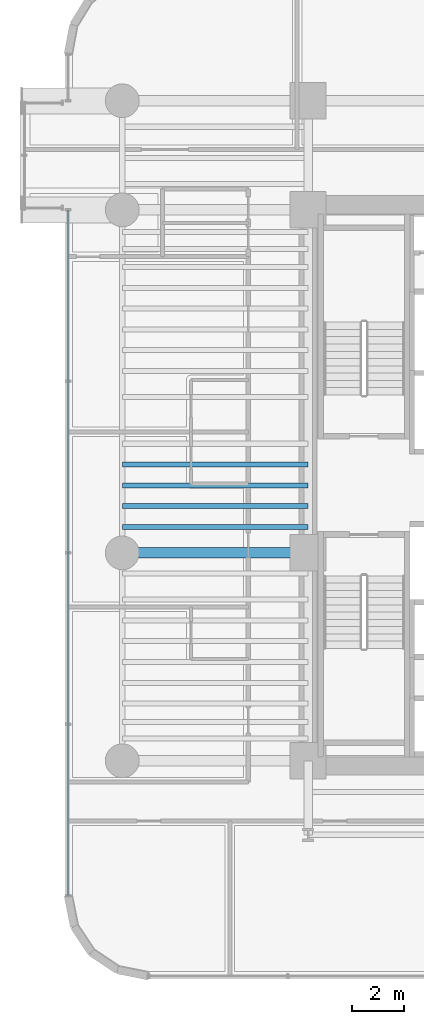
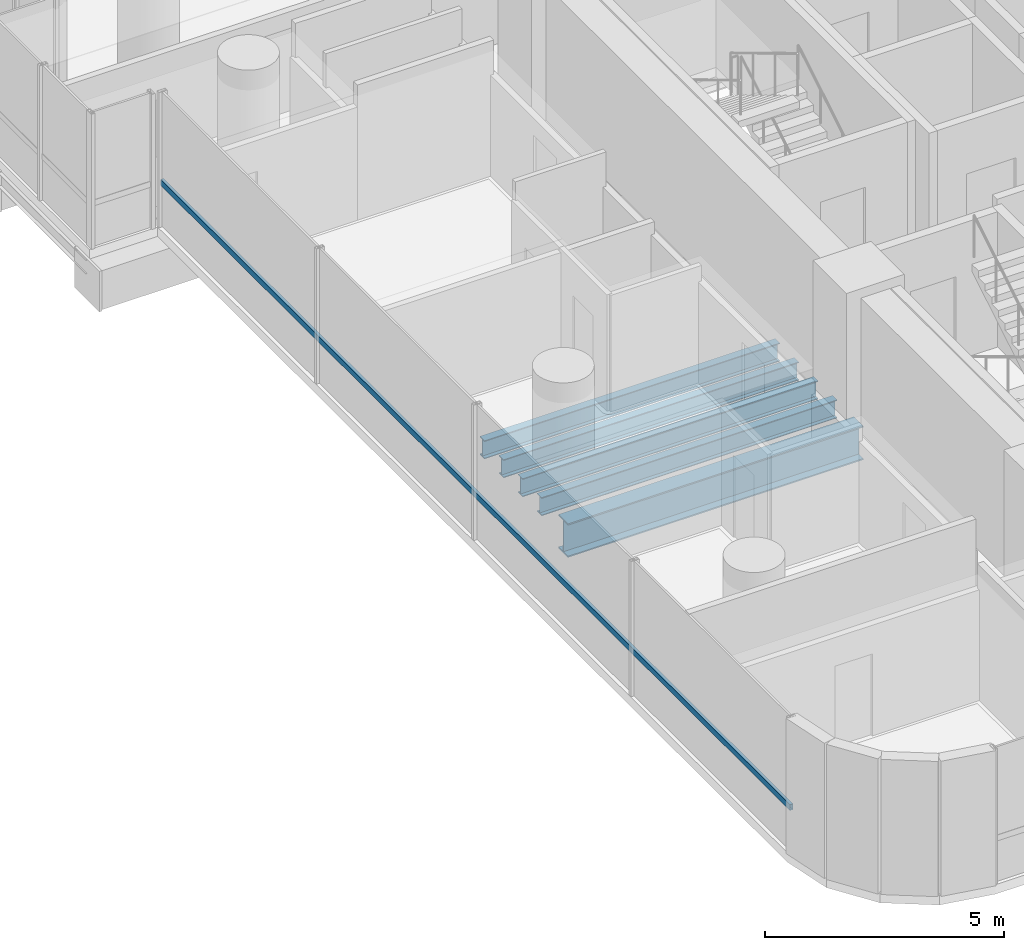
# One storey, part 9 of 41: 5 beams, 1 member, 1 element without a shape of its own.
"""IFC4 building model written with IfcOpenShell, lengths in metres."""

from ifc_helpers import new_model, si_unit, direction, frame, origin, origin_2d, place, context, subcontext, project, spatial, hollow_rectangle, i_section, extrude, source, transform, mapped, material, material_profile, profile_set, type_object, element, aggregate, save


model = new_model("IFC4")

# Units and contexts
model_context = context("Model", 3, precision=1e-05, world=origin(), true_north=direction((0.0, 1.0)))
body_context = subcontext(model_context, "Body", "Model", "MODEL_VIEW")
ifc_project = project(units=[si_unit("LENGTHUNIT", "METRE"), si_unit("AREAUNIT", "SQUARE_METRE"), si_unit("VOLUMEUNIT", "CUBIC_METRE"), si_unit("PLANEANGLEUNIT", "RADIAN"), si_unit("MASSUNIT", "GRAM", prefix="KILO")], contexts=[model_context])

# Site, building, storey
site_placement = place(None, origin())
site = spatial("IfcSite", under=ifc_project, at=site_placement, CompositionType="ELEMENT")
building_placement = place(site_placement, origin())
building = spatial("IfcBuilding", under=site, at=building_placement, Name="Valdorenza Pilgrim Sanctuary Tower", CompositionType="ELEMENT")
storey_placement = place(building_placement, frame((0.0, 0.0, 85.199951171875)))
storey = spatial("IfcBuildingStorey", under=building, at=storey_placement, Name="L21", CompositionType="ELEMENT", Elevation=85.199951171875)

# Beams
ifc_material_1 = material(Name="Steel ASTM A992 Grade 50", Category="steel")
ifc_material_profile_1 = material_profile(ifc_material_1, i_section(OverallWidth=0.193115234375, OverallDepth=0.466064453125, WebThickness=0.011474609375, FlangeThickness=0.01904296875, at=origin_2d()), Name="W18X65")
ifc_profile_set_1 = profile_set([ifc_material_profile_1], Name="Steel ASTM A992 Grade 50")
beam_type_1 = type_object("IfcBeamType", Name="STR-BM-JST-W18A", PredefinedType="JOIST", material=ifc_profile_set_1)
shared_shape_1 = source(origin(), body_context, "Body", "SweptSolid", [
    extrude(i_section(OverallWidth=0.193115234375, OverallDepth=0.466064453125, WebThickness=0.011474609375, FlangeThickness=0.01904296875, at=origin_2d()), origin(), (0.0, 0.0, 1.0), 7.150146484375),
])
for number, where, z_axis, x_axis, name in (
    (1, (-29.800048828125, -1.60009765625, -0.472900390625), (1.0, 0.0, 0.0), (0.0, 1.0, 0.0), "L21 Composite Floor Joist JST-WA-10"),
    (2, (-29.800048828125, -0.800048828125, -0.472900390625), (1.0, 0.0, 0.0), (0.0, 1.0, 0.0), "L21 Composite Floor Joist JST-WA-11"),
    (3, (-29.800048828125, 0.0, -0.472900390625), (1.0, 0.0, 0.0), (0.0, 1.0, 0.0), "L21 Composite Floor Joist JST-WA-12"),
    (4, (-29.800048828125, 0.800048828125, -0.472900390625), (1.0, 0.0, 0.0), (0.0, 1.0, 0.0), "L21 Composite Floor Joist JST-WA-13"),
):
    element("IfcBeam", number, at=place(storey_placement, frame(where, z_axis=z_axis, x_axis=x_axis)), inside=storey, type_object=beam_type_1, Name=name, PredefinedType="JOIST", context=body_context, shape_type="MappedRepresentation", body=[
        mapped(shared_shape_1, transform((0.0, 0.0, 0.0), x_axis=(1.0, 0.0, 0.0), y_axis=(0.0, 1.0, 0.0), z_axis=(0.0, 0.0, 1.0), scale=1.0)),
    ])
ifc_material_profile_2 = material_profile(ifc_material_1, i_section(OverallWidth=0.39990234375, OverallDepth=0.862060546875, WebThickness=0.019775390625, FlangeThickness=0.032470703125, at=origin_2d()), Name="W33X221")
ifc_profile_set_2 = profile_set([ifc_material_profile_2], Name="Steel ASTM A992 Grade 50")
beam_type_2 = type_object("IfcBeamType", Name="STR-BM-GRD-W33", PredefinedType="BEAM", material=ifc_profile_set_2)
shared_shape_2 = source(origin(), body_context, "Body", "SweptSolid", [
    extrude(i_section(OverallWidth=0.39990234375, OverallDepth=0.862060546875, WebThickness=0.019775390625, FlangeThickness=0.032470703125, at=origin_2d()), origin(), (0.0, 0.0, 1.0), 7.150146484375),
])
beam_placement = place(storey_placement, frame((-29.800048828125, -2.60009765625, -0.6708984375), z_axis=(1.0, 0.0, 0.0), x_axis=(0.0, 1.0, 0.0)))
element("IfcBeam", 5, at=beam_placement, inside=storey, type_object=beam_type_2, Name="L21 Floor Girder WA-XW-M0", PredefinedType="BEAM", context=body_context, shape_type="MappedRepresentation", body=[
    mapped(shared_shape_2, transform((0.0, 0.0, 0.0), x_axis=(1.0, 0.0, 0.0), y_axis=(0.0, 1.0, 0.0), z_axis=(0.0, 0.0, 1.0), scale=1.0)),
])

# Curtain wall, member
ifc_material_2 = material(Name="Curtain-wall IGU glazing", Category="glass")
curtain_wall_type = type_object("IfcCurtainWallType", Name="CW-SYS-02", PredefinedType="NOTDEFINED", material=ifc_material_2)
curtain_wall_placement = place(storey_placement, origin())
curtain_wall = element("IfcCurtainWall", 6, at=curtain_wall_placement, inside=storey, type_object=curtain_wall_type, Name="L21 Curtain Wall CW-L21-1-1S1", PredefinedType="NOTDEFINED")
ifc_material_3 = material(Name="Anodised aluminium AW-6060", Category="aluminium")
ifc_material_profile_3 = material_profile(ifc_material_3, hollow_rectangle(XDim=0.074951171875, YDim=0.14990234375, WallThickness=0.00390625, at=origin_2d()), Name="ALU-T 150x75x4")
ifc_profile_set_3 = profile_set([ifc_material_profile_3], Name="Anodised aluminium AW-6060")
member_type = type_object("IfcMemberType", Name="CW-TRN-02", PredefinedType="USERDEFINED", material=ifc_profile_set_3)
shared_shape_3 = source(origin(), body_context, "Body", "SweptSolid", [
    extrude(hollow_rectangle(XDim=0.074951171875, YDim=0.14990234375, WallThickness=0.00390625, at=origin_2d()), origin(), (0.0, 0.0, 1.0), 26.389404296875),
])
member_placement = place(storey_placement, frame((-31.889892578125, -15.789306640625, 1.1201171875), z_axis=(0.0, 1.0, 0.0), x_axis=(-1.0, 0.0, 0.0)))
member = element("IfcMember", 7, at=member_placement, type_object=member_type, Name="CW-L21-1-1S1 Transom 1", ObjectType="TRANSOM", PredefinedType="USERDEFINED", context=body_context, shape_type="MappedRepresentation", body=[
    mapped(shared_shape_3, transform((0.0, 0.0, 0.0), x_axis=(1.0, 0.0, 0.0), y_axis=(0.0, 1.0, 0.0), z_axis=(0.0, 0.0, 1.0), scale=1.0)),
])
aggregate(curtain_wall, [member])

save(model, "model.ifc")
